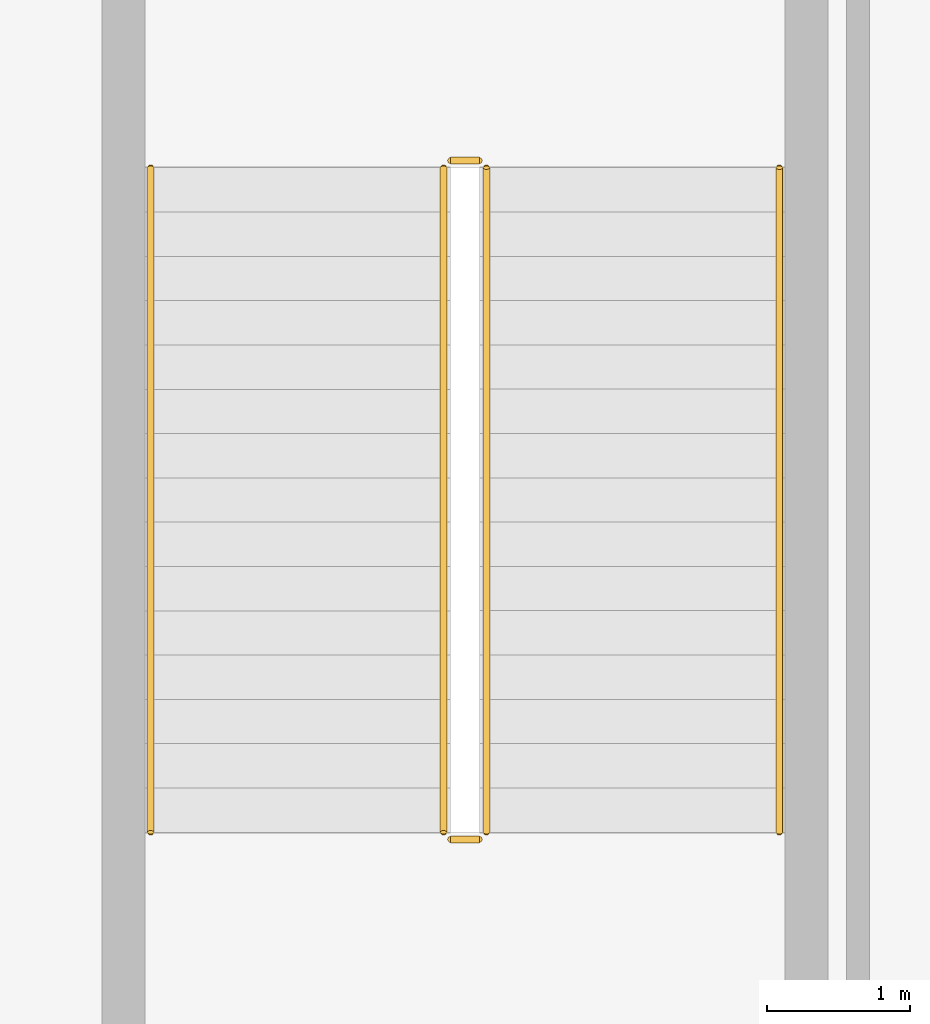
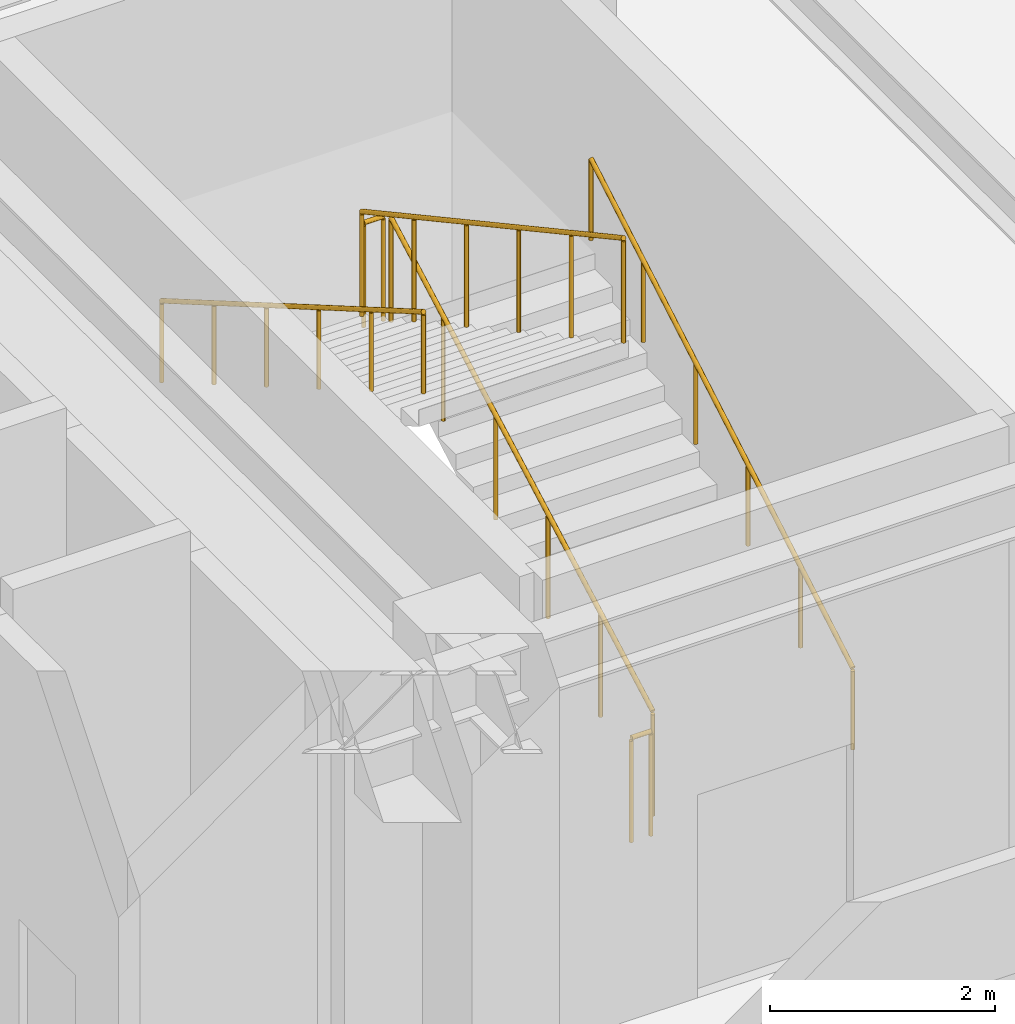
# One storey, part 34 of 34: 6 railings.
"""IFC4 building model written with IfcOpenShell, lengths in metres."""

from ifc_helpers import new_model, si_unit, direction, frame, origin, origin_2d, place, context, subcontext, project, spatial, circle, extrude, material, type_object, element, save


model = new_model("IFC4")

# Units and contexts
model_context = context("Model", 3, precision=1e-05, world=origin(), true_north=direction((0.0, 1.0)))
body_context = subcontext(model_context, "Body", "Model", "MODEL_VIEW")
ifc_project = project(units=[si_unit("LENGTHUNIT", "METRE"), si_unit("AREAUNIT", "SQUARE_METRE"), si_unit("VOLUMEUNIT", "CUBIC_METRE"), si_unit("PLANEANGLEUNIT", "RADIAN"), si_unit("MASSUNIT", "GRAM", prefix="KILO")], contexts=[model_context])

# Site, building, storey
site_placement = place(None, origin())
site = spatial("IfcSite", under=ifc_project, at=site_placement, CompositionType="ELEMENT")
building_placement = place(site_placement, origin())
building = spatial("IfcBuilding", under=site, at=building_placement, Name="Nahalor Promenade Grand Hotel", CompositionType="ELEMENT")
storey_placement = place(building_placement, frame((0.0, 0.0, 16.199951171875)))
storey = spatial("IfcBuildingStorey", under=building, at=storey_placement, Name="L03", CompositionType="ELEMENT", Elevation=16.199951171875)

# Railings
ifc_material = material(Name="Steel S355JR", Category="steel")
railing_type_1 = type_object("IfcRailingType", Name="Steel Stair Guardrail 1150 mm", PredefinedType="GUARDRAIL", material=ifc_material)
railing_1_placement = place(storey_placement, frame((20.60009765625, 8.5, 0.168701171875)))
element("IfcRailing", 1, at=railing_1_placement, inside=storey, type_object=railing_type_1, Name="L03 ST4 stair guard 1", PredefinedType="GUARDRAIL", context=body_context, shape_type="SweptSolid", body=[
    extrude(circle(Radius=0.024048, at=origin_2d()), frame((0.0, 0.0, 1.1259765625), z_axis=(0.0, 0.878297076953, 0.478115304728), x_axis=(-1.0, 0.0, 0.0)), (0.0, 0.0, 1.0), 5.294189453125),
    extrude(circle(Radius=0.020996, at=origin_2d()), origin(), (0.0, 0.0, 1.0), 1.099853515625),
    extrude(circle(Radius=0.020996, at=origin_2d()), frame((0.0, 0.929931640625, 0.50634765625)), (0.0, 0.0, 1.0), 1.099853515625),
    extrude(circle(Radius=0.020996, at=origin_2d()), frame((0.0, 1.85986328125, 1.012451171875)), (0.0, 0.0, 1.0), 1.099853515625),
    extrude(circle(Radius=0.020996, at=origin_2d()), frame((0.0, 2.7900390625, 1.518798828125)), (0.0, 0.0, 1.0), 1.099853515625),
    extrude(circle(Radius=0.020996, at=origin_2d()), frame((0.0, 3.719970703125, 2.02490234375)), (0.0, 0.0, 1.0), 1.099853515625),
    extrude(circle(Radius=0.020996, at=origin_2d()), frame((0.0, 4.64990234375, 2.53125)), (0.0, 0.0, 1.0), 1.099853515625),
])
railing_2_placement = place(storey_placement, frame((20.550048828125, 13.199951171875, 2.699951171875)))
element("IfcRailing", 2, at=railing_2_placement, inside=storey, type_object=railing_type_1, Name="L03 ST4 stair guard 2", PredefinedType="GUARDRAIL", context=body_context, shape_type="SweptSolid", body=[
    extrude(circle(Radius=0.024048, at=origin_2d()), frame((0.0, 0.0, 1.1259765625), z_axis=(-1.0, 0.0, 0.0), x_axis=(0.0, -1.0, 0.0)), (0.0, 0.0, 1.0), 0.199951171875),
    extrude(circle(Radius=0.020996, at=origin_2d()), origin(), (0.0, 0.0, 1.0), 1.099853515625),
    extrude(circle(Radius=0.020996, at=origin_2d()), frame((-0.199951171875, 0.0, 0.0)), (0.0, 0.0, 1.0), 1.099853515625),
])
railing_3_placement = place(storey_placement, frame((20.300048828125, 13.14990234375, 2.868896484375)))
element("IfcRailing", 3, at=railing_3_placement, inside=storey, type_object=railing_type_1, Name="L03 ST4 stair guard 3", PredefinedType="GUARDRAIL", context=body_context, shape_type="SweptSolid", body=[
    extrude(circle(Radius=0.024048, at=origin_2d()), frame((0.0, 0.0, 1.1259765625), z_axis=(0.0, -0.878297076953, 0.478115304728), x_axis=(1.0, 0.0, 0.0)), (0.0, 0.0, 1.0), 5.294189453125),
    extrude(circle(Radius=0.020996, at=origin_2d()), origin(), (0.0, 0.0, 1.0), 1.099853515625),
    extrude(circle(Radius=0.020996, at=origin_2d()), frame((0.0, -0.929931640625, 0.50634765625)), (0.0, 0.0, 1.0), 1.099853515625),
    extrude(circle(Radius=0.020996, at=origin_2d()), frame((0.0, -1.85986328125, 1.012451171875)), (0.0, 0.0, 1.0), 1.099853515625),
    extrude(circle(Radius=0.020996, at=origin_2d()), frame((0.0, -2.7900390625, 1.518798828125)), (0.0, 0.0, 1.0), 1.099853515625),
    extrude(circle(Radius=0.020996, at=origin_2d()), frame((0.0, -3.719970703125, 2.02490234375)), (0.0, 0.0, 1.0), 1.099853515625),
    extrude(circle(Radius=0.020996, at=origin_2d()), frame((0.0, -4.64990234375, 2.53125)), (0.0, 0.0, 1.0), 1.099853515625),
])
railing_4_placement = place(storey_placement, frame((20.550048828125, 8.449951171875, 0.0)))
element("IfcRailing", 4, at=railing_4_placement, inside=storey, type_object=railing_type_1, Name="L03 ST4 stair guard 4", PredefinedType="GUARDRAIL", context=body_context, shape_type="SweptSolid", body=[
    extrude(circle(Radius=0.024048, at=origin_2d()), frame((0.0, 0.0, 1.1259765625), z_axis=(-1.0, 0.0, 0.0), x_axis=(0.0, -1.0, 0.0)), (0.0, 0.0, 1.0), 0.199951171875),
    extrude(circle(Radius=0.020996, at=origin_2d()), origin(), (0.0, 0.0, 1.0), 1.099853515625),
    extrude(circle(Radius=0.020996, at=origin_2d()), frame((-0.199951171875, 0.0, 0.0)), (0.0, 0.0, 1.0), 1.099853515625),
])
railing_type_2 = type_object("IfcRailingType", Name="Steel Stair Handrail 900 mm", PredefinedType="HANDRAIL", material=ifc_material)
railing_5_placement = place(storey_placement, frame((22.64990234375, 8.5, 0.168701171875)))
element("IfcRailing", 5, at=railing_5_placement, inside=storey, type_object=railing_type_2, Name="L03 ST4 stair handrail 1", PredefinedType="HANDRAIL", context=body_context, shape_type="SweptSolid", body=[
    extrude(circle(Radius=0.024048, at=origin_2d()), frame((0.0, 0.0, 0.8759765625), z_axis=(0.0, 0.864768593507, 0.502170568318), x_axis=(-1.0, 0.0, 0.0)), (0.0, 0.0, 1.0), 5.376953125),
    extrude(circle(Radius=0.020996, at=origin_2d()), origin(), (0.0, 0.0, 1.0), 0.849853515625),
    extrude(circle(Radius=0.020996, at=origin_2d()), frame((0.0, 0.929931640625, 0.5400390625)), (0.0, 0.0, 1.0), 0.849853515625),
    extrude(circle(Radius=0.020996, at=origin_2d()), frame((0.0, 1.85986328125, 1.080078125)), (0.0, 0.0, 1.0), 0.849853515625),
    extrude(circle(Radius=0.020996, at=origin_2d()), frame((0.0, 2.7900390625, 1.6201171875)), (0.0, 0.0, 1.0), 0.849853515625),
    extrude(circle(Radius=0.020996, at=origin_2d()), frame((0.0, 3.719970703125, 2.16015625)), (0.0, 0.0, 1.0), 0.849853515625),
    extrude(circle(Radius=0.020996, at=origin_2d()), frame((0.0, 4.64990234375, 2.7001953125)), (0.0, 0.0, 1.0), 0.849853515625),
])
railing_6_placement = place(storey_placement, frame((18.25, 13.14990234375, 2.868896484375)))
element("IfcRailing", 6, at=railing_6_placement, inside=storey, type_object=railing_type_2, Name="L03 ST4 stair handrail 2", PredefinedType="HANDRAIL", context=body_context, shape_type="SweptSolid", body=[
    extrude(circle(Radius=0.024048, at=origin_2d()), frame((0.0, 0.0, 0.8759765625), z_axis=(0.0, -0.864788310583, 0.502136612766), x_axis=(1.0, 0.0, 0.0)), (0.0, 0.0, 1.0), 5.376953125),
    extrude(circle(Radius=0.020996, at=origin_2d()), origin(), (0.0, 0.0, 1.0), 0.849853515625),
    extrude(circle(Radius=0.020996, at=origin_2d()), frame((0.0, -0.929931640625, 0.5400390625)), (0.0, 0.0, 1.0), 0.849853515625),
    extrude(circle(Radius=0.020996, at=origin_2d()), frame((0.0, -1.85986328125, 1.080078125)), (0.0, 0.0, 1.0), 0.849853515625),
    extrude(circle(Radius=0.020996, at=origin_2d()), frame((0.0, -2.7900390625, 1.619873046875)), (0.0, 0.0, 1.0), 0.849853515625),
    extrude(circle(Radius=0.020996, at=origin_2d()), frame((0.0, -3.719970703125, 2.159912109375)), (0.0, 0.0, 1.0), 0.849853515625),
    extrude(circle(Radius=0.020996, at=origin_2d()), frame((0.0, -4.64990234375, 2.699951171875)), (0.0, 0.0, 1.0), 0.849853515625),
])

save(model, "model.ifc")
